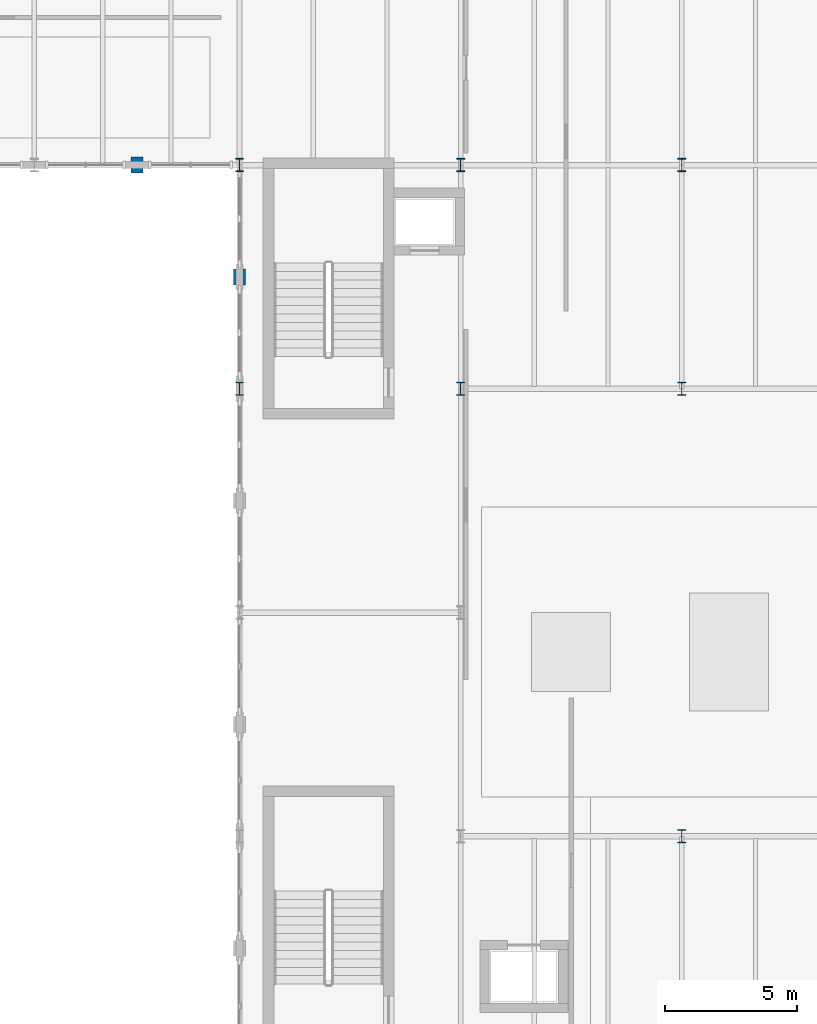
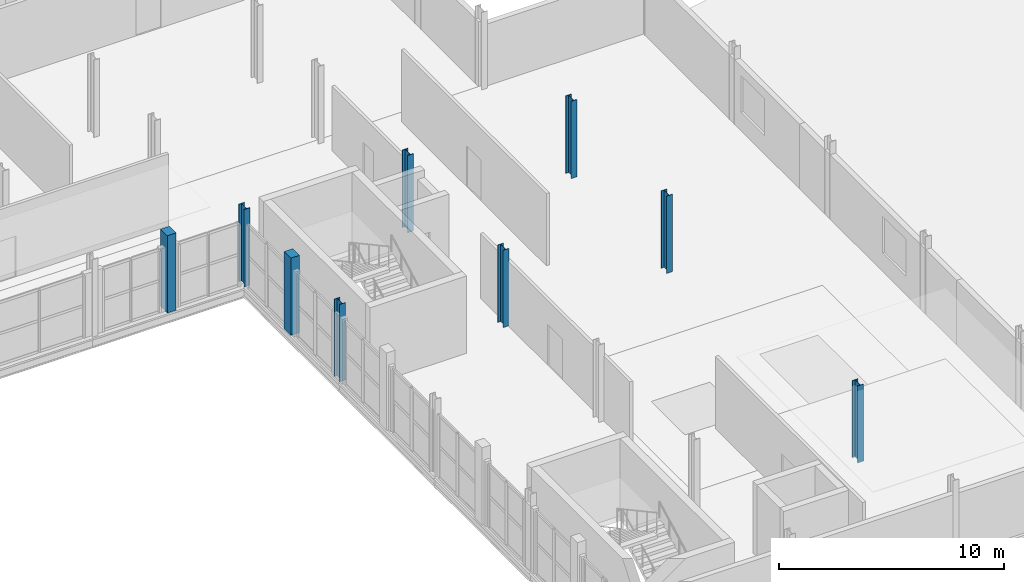
# One storey, part 7 of 58: 9 columns.
"""IFC4 building model written with IfcOpenShell, lengths in metres."""

from ifc_helpers import new_model, si_unit, direction, frame, origin, origin_2d, place, context, subcontext, project, spatial, rectangle, i_section, extrude, material, material_profile, profile_set, type_object, element, save


model = new_model("IFC4")

# Units and contexts
model_context = context("Model", 3, precision=1e-05, world=origin(), true_north=direction((0.0, 1.0)))
body_context = subcontext(model_context, "Body", "Model", "MODEL_VIEW")
ifc_project = project(units=[si_unit("LENGTHUNIT", "METRE"), si_unit("AREAUNIT", "SQUARE_METRE"), si_unit("VOLUMEUNIT", "CUBIC_METRE"), si_unit("PLANEANGLEUNIT", "RADIAN"), si_unit("MASSUNIT", "GRAM", prefix="KILO")], contexts=[model_context])

# Site, building, storey
site_placement = place(None, origin())
site = spatial("IfcSite", under=ifc_project, at=site_placement, CompositionType="ELEMENT")
building_placement = place(site_placement, origin())
building = spatial("IfcBuilding", under=site, at=building_placement, Name="Sefraquen Railside Congress Hotel", CompositionType="ELEMENT")
storey_placement = place(building_placement, frame((0.0, 0.0, 16.199951171875)))
storey = spatial("IfcBuildingStorey", under=building, at=storey_placement, Name="L03", CompositionType="ELEMENT", Elevation=16.199951171875)

# Columns
ifc_material_1 = material(Name="Steel S355JR", Category="steel")
ifc_material_profile_1 = material_profile(ifc_material_1, i_section(OverallWidth=0.300048828125, OverallDepth=0.5, WebThickness=0.014404296875, FlangeThickness=0.028076171875, FilletRadius=0.027099609375, at=origin_2d()), Name="HEB 500")
ifc_profile_set_1 = profile_set([ifc_material_profile_1], Name="Steel S355JR")
column_type_1 = type_object("IfcColumnType", Name="TC-HEB-500", PredefinedType="COLUMN", material=ifc_profile_set_1)
for number, where, z_axis, x_axis, name in (
    (1, (103.199951171875, 88.0, 0.0), (0.0, 0.0, 1.0), (1.0, 0.0, 0.0), "Structural column 14-L L03"),
    (2, (103.199951171875, 79.5, 0.0), (0.0, 0.0, 1.0), (1.0, 0.0, 0.0), "Structural column 14-K L03"),
    (3, (111.60009765625, 79.5, 0.0), (0.0, 0.0, 1.0), (1.0, 0.0, 0.0), "Structural column 15-K L03"),
    (4, (111.60009765625, 88.0, 0.0), (0.0, 0.0, 1.0), (1.0, 0.0, 0.0), "Structural column 15-L L03"),
    (5, (120.0, 62.5, 0.0), (0.0, 0.0, 1.0), (1.0, 0.0, 0.0), "Structural column 16-H L03"),
    (6, (120.0, 79.5, 0.0), (0.0, 0.0, 1.0), (1.0, 0.0, 0.0), "Structural column 16-K L03"),
    (7, (120.0, 88.0, 0.0), (0.0, 0.0, 1.0), (1.0, 0.0, 0.0), "Structural column 16-L L03"),
):
    element("IfcColumn", number, at=place(storey_placement, frame(where, z_axis=z_axis, x_axis=x_axis)), inside=storey, type_object=column_type_1, Name=name, PredefinedType="COLUMN", context=body_context, shape_type="SweptSolid", body=[
        extrude(i_section(OverallWidth=0.300048828125, OverallDepth=0.5, WebThickness=0.014404296875, FlangeThickness=0.028076171875, FilletRadius=0.027099609375, at=origin_2d()), origin(), (0.0, 0.0, 1.0), 4.199951171875),
    ])
ifc_material_2 = material(Name="Concrete C50/60", Category="concrete")
ifc_material_profile_2 = material_profile(ifc_material_2, rectangle(XDim=0.449951171875, YDim=0.60009765625, at=origin_2d()), Name="RC 600x450")
ifc_profile_set_2 = profile_set([ifc_material_profile_2], Name="Concrete C50/60")
column_type_2 = type_object("IfcColumnType", Name="TC-PIL-600", PredefinedType="PILASTER", material=ifc_profile_set_2)
for number, where, z_axis, x_axis, name in (
    (8, (103.199951171875, 83.75, 0.0), (0.0, 0.0, 1.0), (1.0, 0.0, 0.0), "Courtyard limestone pilaster CPIL-E4 L03"),
    (9, (99.300048828125, 88.0, 0.0), (0.0, 0.0, 1.0), (1.0, 0.0, 0.0), "Courtyard limestone pilaster CPIL-N3 L03"),
):
    element("IfcColumn", number, at=place(storey_placement, frame(where, z_axis=z_axis, x_axis=x_axis)), inside=storey, type_object=column_type_2, Name=name, PredefinedType="PILASTER", context=body_context, shape_type="SweptSolid", body=[
        extrude(rectangle(XDim=0.449951171875, YDim=0.60009765625, at=origin_2d()), origin(), (0.0, 0.0, 1.0), 4.199951171875),
    ])

save(model, "model.ifc")
